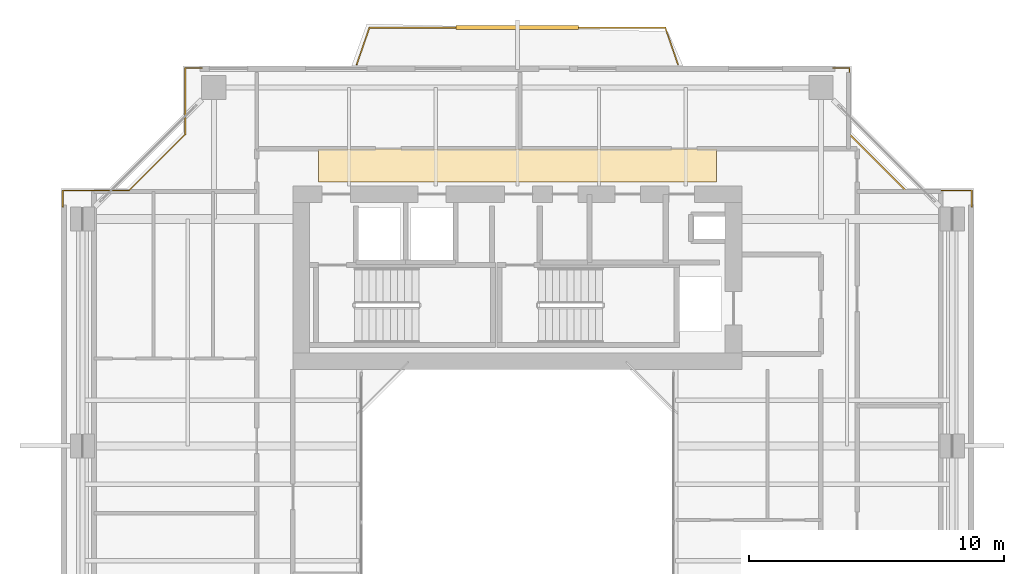
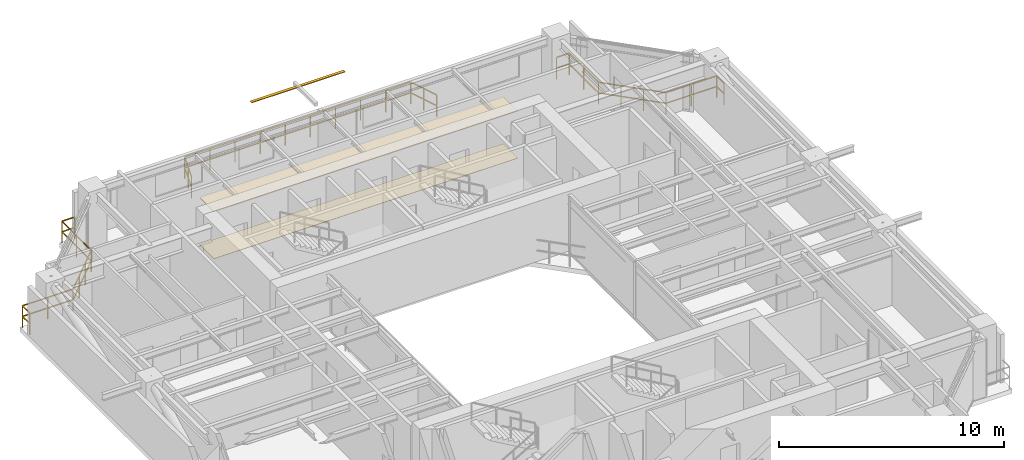
# One storey, part 14 of 14: 3 railings, 2 coverings, 1 shading device.
"""IFC4 building model written with IfcOpenShell, lengths in metres."""

from ifc_helpers import new_model, si_unit, direction, frame, origin, origin_2d, place, context, subcontext, project, spatial, polyline, rectangle, outline, extrude, source, transform, mapped, material, layer, layer_set, material_profile, profile_set, type_object, element, save


model = new_model("IFC4")

# Units and contexts
model_context = context("Model", 3, precision=1e-05, world=origin(), true_north=direction((0.0, 1.0)))
body_context = subcontext(model_context, "Body", "Model", "MODEL_VIEW")
ifc_project = project(units=[si_unit("LENGTHUNIT", "METRE"), si_unit("AREAUNIT", "SQUARE_METRE"), si_unit("VOLUMEUNIT", "CUBIC_METRE"), si_unit("PLANEANGLEUNIT", "RADIAN"), si_unit("MASSUNIT", "GRAM", prefix="KILO"), si_unit("THERMODYNAMICTEMPERATUREUNIT", "KELVIN"), si_unit("POWERUNIT", "WATT")], contexts=[model_context])

# Site, building, storey
site_placement = place(None, origin())
site = spatial("IfcSite", under=ifc_project, at=site_placement, CompositionType="ELEMENT")
building_placement = place(site_placement, origin())
building = spatial("IfcBuilding", under=site, at=building_placement, Name="Qiaomeng Ring Towers", CompositionType="ELEMENT")
storey_placement = place(building_placement, frame((0.0, 0.0, 176.25)))
storey = spatial("IfcBuildingStorey", under=building, at=storey_placement, Name="L51", CompositionType="ELEMENT", Elevation=176.25)

# Coverings
ifc_material_1 = material(Name="Moisture-resistant gypsum ceiling board", Category="gypsum")
ifc_layer_1 = layer(ifc_material_1, 0.030029296875, Name="Moisture-resistant gypsum ceiling board")
ifc_layer_set_1 = layer_set([ifc_layer_1], Name="Moisture-resistant gypsum ceiling board")
covering_type_1 = type_object("IfcCoveringType", Name="ARC-COV-CEIL2", PredefinedType="CEILING", material=ifc_layer_set_1)
covering_1_placement = place(storey_placement, frame((0.0, 0.0, 2.550048828125)))
element("IfcCovering", 1, at=covering_1_placement, inside=storey, type_object=covering_type_1, Name="L51 Corridor Acoustic Ceiling", PredefinedType="CEILING", context=body_context, shape_type="SweptSolid", body=[
    extrude(outline(polyline([(11.199951171875, 36.35009765625), (11.199951171875, 37.64990234375), (26.800048828125, 37.64990234375), (26.800048828125, 36.35009765625), (11.199951171875, 36.35009765625)])), origin(), (0.0, 0.0, 1.0), 0.02490234375),
])
ifc_material_2 = material(Name="Vitrified porcelain floor tile", Category="ceramic")
ifc_layer_2 = layer(ifc_material_2, 0.02001953125, Name="Vitrified porcelain floor tile")
ifc_layer_set_2 = layer_set([ifc_layer_2], Name="Vitrified porcelain floor tile")
covering_type_2 = type_object("IfcCoveringType", Name="ARC-COV-FLR1", PredefinedType="FLOORING", material=ifc_layer_set_2)
covering_2_placement = place(storey_placement, origin())
element("IfcCovering", 2, at=covering_2_placement, inside=storey, type_object=covering_type_2, Name="L51 Corridor Stone Flooring", PredefinedType="FLOORING", context=body_context, shape_type="SweptSolid", body=[
    extrude(outline(polyline([(11.199951171875, 36.35009765625), (11.199951171875, 37.64990234375), (26.800048828125, 37.64990234375), (26.800048828125, 36.35009765625), (11.199951171875, 36.35009765625)])), origin(), (0.0, 0.0, 1.0), 0.02001953125),
])

# Railings
ifc_material_3 = material(Name="Low-E pale-green laminated safety glass", Category="glass")
railing_type = type_object("IfcRailingType", Name="ARC-RL-BAL1", PredefinedType="BALUSTRADE", material=ifc_material_3)
railing_1_placement = place(storey_placement, frame((36.820068359375, 35.3701171875, 0.0)))
element("IfcRailing", 3, at=railing_1_placement, inside=storey, type_object=railing_type, Name="L51 Balustrade ARC-BAL-NOTCH1-L51-NE", PredefinedType="BALUSTRADE", context=body_context, shape_type="SweptSolid", body=[
    extrude(rectangle(XDim=0.048095703125, YDim=0.048095703125, at=origin_2d()), frame((0.0, 0.0, 1.17578125), z_axis=(0.0, 1.0, 0.0), x_axis=(-1.0, 0.0, 0.0)), (0.0, 0.0, 1.0), 0.64990234375),
    extrude(rectangle(XDim=0.048095703125, YDim=0.048095703125, at=origin_2d()), frame((0.0, 0.0, 0.60009765625), z_axis=(0.0, 1.0, 0.0), x_axis=(-1.0, 0.0, 0.0)), (0.0, 0.0, 1.0), 0.64990234375),
    extrude(rectangle(XDim=0.048095703125, YDim=0.048095703125, at=origin_2d()), frame((0.0, 0.64990234375, 1.17578125), z_axis=(-1.0, 0.0, 0.0), x_axis=(0.0, -1.0, 0.0)), (0.0, 0.0, 1.0), 2.60009765625),
    extrude(rectangle(XDim=0.048095703125, YDim=0.048095703125, at=origin_2d()), frame((0.0, 0.64990234375, 0.60009765625), z_axis=(-1.0, 0.0, 0.0), x_axis=(0.0, -1.0, 0.0)), (0.0, 0.0, 1.0), 2.60009765625),
    extrude(rectangle(XDim=0.048095703125, YDim=0.048095703125, at=origin_2d()), frame((-2.60009765625, 0.64990234375, 1.17578125), z_axis=(-0.707106781187, 0.707106781187, 0.0), x_axis=(-0.707106781187, -0.707106781187, 0.0)), (0.0, 0.0, 1.0), 3.111083984375),
    extrude(rectangle(XDim=0.048095703125, YDim=0.048095703125, at=origin_2d()), frame((-2.60009765625, 0.64990234375, 0.60009765625), z_axis=(-0.707106781187, 0.707106781187, 0.0), x_axis=(-0.707106781187, -0.707106781187, 0.0)), (0.0, 0.0, 1.0), 3.111083984375),
    extrude(rectangle(XDim=0.048095703125, YDim=0.048095703125, at=origin_2d()), frame((-4.800048828125, 2.849853515625, 1.17578125), z_axis=(0.0, 1.0, 0.0), x_axis=(-1.0, 0.0, 0.0)), (0.0, 0.0, 1.0), 2.60009765625),
    extrude(rectangle(XDim=0.048095703125, YDim=0.048095703125, at=origin_2d()), frame((-4.800048828125, 2.849853515625, 0.60009765625), z_axis=(0.0, 1.0, 0.0), x_axis=(-1.0, 0.0, 0.0)), (0.0, 0.0, 1.0), 2.60009765625),
    extrude(rectangle(XDim=0.048095703125, YDim=0.048095703125, at=origin_2d()), frame((-4.800048828125, 5.449951171875, 1.17578125), z_axis=(-1.0, 0.0, 0.0), x_axis=(0.0, -1.0, 0.0)), (0.0, 0.0, 1.0), 0.64990234375),
    extrude(rectangle(XDim=0.048095703125, YDim=0.048095703125, at=origin_2d()), frame((-4.800048828125, 5.449951171875, 0.60009765625), z_axis=(-1.0, 0.0, 0.0), x_axis=(0.0, -1.0, 0.0)), (0.0, 0.0, 1.0), 0.64990234375),
    extrude(rectangle(XDim=0.0419921875, YDim=0.0419921875, at=origin_2d()), origin(), (0.0, 0.0, 1.0), 1.15185546875),
    extrude(rectangle(XDim=0.0419921875, YDim=0.0419921875, at=origin_2d()), frame((0.0, 0.64990234375, 0.0)), (0.0, 0.0, 1.0), 1.15185546875),
    extrude(rectangle(XDim=0.0419921875, YDim=0.0419921875, at=origin_2d()), frame((-1.300048828125, 0.64990234375, 0.0)), (0.0, 0.0, 1.0), 1.15185546875),
    extrude(rectangle(XDim=0.0419921875, YDim=0.0419921875, at=origin_2d()), frame((-2.60009765625, 0.64990234375, 0.0)), (0.0, 0.0, 1.0), 1.15185546875),
    extrude(rectangle(XDim=0.0419921875, YDim=0.0419921875, at=origin_2d()), frame((-3.33349609375, 1.38330078125, 0.0)), (0.0, 0.0, 1.0), 1.15185546875),
    extrude(rectangle(XDim=0.0419921875, YDim=0.0419921875, at=origin_2d()), frame((-4.066650390625, 2.116455078125, 0.0)), (0.0, 0.0, 1.0), 1.15185546875),
    extrude(rectangle(XDim=0.0419921875, YDim=0.0419921875, at=origin_2d()), frame((-4.800048828125, 2.849853515625, 0.0)), (0.0, 0.0, 1.0), 1.15185546875),
    extrude(rectangle(XDim=0.0419921875, YDim=0.0419921875, at=origin_2d()), frame((-4.800048828125, 4.14990234375, 0.0)), (0.0, 0.0, 1.0), 1.15185546875),
    extrude(rectangle(XDim=0.0419921875, YDim=0.0419921875, at=origin_2d()), frame((-4.800048828125, 5.449951171875, 0.0)), (0.0, 0.0, 1.0), 1.15185546875),
    extrude(rectangle(XDim=0.0419921875, YDim=0.0419921875, at=origin_2d()), frame((-5.449951171875, 5.449951171875, 0.0)), (0.0, 0.0, 1.0), 1.15185546875),
])
railing_2_placement = place(storey_placement, frame((6.6298828125, 40.820068359375, 0.0)))
element("IfcRailing", 4, at=railing_2_placement, inside=storey, type_object=railing_type, Name="L51 Balustrade ARC-BAL-NOTCH1-L51-NW", PredefinedType="BALUSTRADE", context=body_context, shape_type="SweptSolid", body=[
    extrude(rectangle(XDim=0.048095703125, YDim=0.048095703125, at=origin_2d()), frame((0.0, 0.0, 1.17578125), z_axis=(-1.0, 0.0, 0.0), x_axis=(0.0, -1.0, 0.0)), (0.0, 0.0, 1.0), 0.64990234375),
    extrude(rectangle(XDim=0.048095703125, YDim=0.048095703125, at=origin_2d()), frame((0.0, 0.0, 0.60009765625), z_axis=(-1.0, 0.0, 0.0), x_axis=(0.0, -1.0, 0.0)), (0.0, 0.0, 1.0), 0.64990234375),
    extrude(rectangle(XDim=0.048095703125, YDim=0.048095703125, at=origin_2d()), frame((-0.64990234375, 0.0, 1.17578125), z_axis=(0.0, -1.0, 0.0), x_axis=(1.0, 0.0, 0.0)), (0.0, 0.0, 1.0), 2.60009765625),
    extrude(rectangle(XDim=0.048095703125, YDim=0.048095703125, at=origin_2d()), frame((-0.64990234375, 0.0, 0.60009765625), z_axis=(0.0, -1.0, 0.0), x_axis=(1.0, 0.0, 0.0)), (0.0, 0.0, 1.0), 2.60009765625),
    extrude(rectangle(XDim=0.048095703125, YDim=0.048095703125, at=origin_2d()), frame((-0.64990234375, -2.60009765625, 1.17578125), z_axis=(-0.707106781187, -0.707106781187, 0.0), x_axis=(0.707106781187, -0.707106781187, 0.0)), (0.0, 0.0, 1.0), 3.111083984375),
    extrude(rectangle(XDim=0.048095703125, YDim=0.048095703125, at=origin_2d()), frame((-0.64990234375, -2.60009765625, 0.60009765625), z_axis=(-0.707106781187, -0.707106781187, 0.0), x_axis=(0.707106781187, -0.707106781187, 0.0)), (0.0, 0.0, 1.0), 3.111083984375),
    extrude(rectangle(XDim=0.048095703125, YDim=0.048095703125, at=origin_2d()), frame((-2.849853515625, -4.800048828125, 1.17578125), z_axis=(-1.0, 0.0, 0.0), x_axis=(0.0, -1.0, 0.0)), (0.0, 0.0, 1.0), 2.60009765625),
    extrude(rectangle(XDim=0.048095703125, YDim=0.048095703125, at=origin_2d()), frame((-2.849853515625, -4.800048828125, 0.60009765625), z_axis=(-1.0, 0.0, 0.0), x_axis=(0.0, -1.0, 0.0)), (0.0, 0.0, 1.0), 2.60009765625),
    extrude(rectangle(XDim=0.048095703125, YDim=0.048095703125, at=origin_2d()), frame((-5.449951171875, -4.800048828125, 1.17578125), z_axis=(0.0, -1.0, 0.0), x_axis=(1.0, 0.0, 0.0)), (0.0, 0.0, 1.0), 0.64990234375),
    extrude(rectangle(XDim=0.048095703125, YDim=0.048095703125, at=origin_2d()), frame((-5.449951171875, -4.800048828125, 0.60009765625), z_axis=(0.0, -1.0, 0.0), x_axis=(1.0, 0.0, 0.0)), (0.0, 0.0, 1.0), 0.64990234375),
    extrude(rectangle(XDim=0.0419921875, YDim=0.0419921875, at=origin_2d()), origin(), (0.0, 0.0, 1.0), 1.15185546875),
    extrude(rectangle(XDim=0.0419921875, YDim=0.0419921875, at=origin_2d()), frame((-0.64990234375, 0.0, 0.0)), (0.0, 0.0, 1.0), 1.15185546875),
    extrude(rectangle(XDim=0.0419921875, YDim=0.0419921875, at=origin_2d()), frame((-0.64990234375, -1.300048828125, 0.0)), (0.0, 0.0, 1.0), 1.15185546875),
    extrude(rectangle(XDim=0.0419921875, YDim=0.0419921875, at=origin_2d()), frame((-0.64990234375, -2.60009765625, 0.0)), (0.0, 0.0, 1.0), 1.15185546875),
    extrude(rectangle(XDim=0.0419921875, YDim=0.0419921875, at=origin_2d()), frame((-1.38330078125, -3.33349609375, 0.0)), (0.0, 0.0, 1.0), 1.15185546875),
    extrude(rectangle(XDim=0.0419921875, YDim=0.0419921875, at=origin_2d()), frame((-2.116455078125, -4.066650390625, 0.0)), (0.0, 0.0, 1.0), 1.15185546875),
    extrude(rectangle(XDim=0.0419921875, YDim=0.0419921875, at=origin_2d()), frame((-2.849853515625, -4.800048828125, 0.0)), (0.0, 0.0, 1.0), 1.15185546875),
    extrude(rectangle(XDim=0.0419921875, YDim=0.0419921875, at=origin_2d()), frame((-4.14990234375, -4.800048828125, 0.0)), (0.0, 0.0, 1.0), 1.15185546875),
    extrude(rectangle(XDim=0.0419921875, YDim=0.0419921875, at=origin_2d()), frame((-5.449951171875, -4.800048828125, 0.0)), (0.0, 0.0, 1.0), 1.15185546875),
    extrude(rectangle(XDim=0.0419921875, YDim=0.0419921875, at=origin_2d()), frame((-5.449951171875, -5.449951171875, 0.0)), (0.0, 0.0, 1.0), 1.15185546875),
])
railing_3_placement = place(storey_placement, frame((12.699951171875, 40.949951171875, 0.0)))
element("IfcRailing", 5, at=railing_3_placement, inside=storey, type_object=railing_type, Name="L51 Balustrade ARC-BAL-L51-T1-N", PredefinedType="BALUSTRADE", context=body_context, shape_type="SweptSolid", body=[
    extrude(rectangle(XDim=0.048095703125, YDim=0.048095703125, at=origin_2d()), frame((0.0, 0.0, 1.17578125), z_axis=(0.326000494605, 0.945369598368, 0.0), x_axis=(-0.945369598368, 0.326000494605, 0.0)), (0.0, 0.0, 1.0), 1.53369140625),
    extrude(rectangle(XDim=0.048095703125, YDim=0.048095703125, at=origin_2d()), frame((0.0, 0.0, 0.60009765625), z_axis=(0.326000494605, 0.945369598368, 0.0), x_axis=(-0.945369598368, 0.326000494605, 0.0)), (0.0, 0.0, 1.0), 1.53369140625),
    extrude(rectangle(XDim=0.048095703125, YDim=0.048095703125, at=origin_2d()), frame((0.5, 1.449951171875, 1.17578125), z_axis=(1.0, 0.0, 0.0), x_axis=(0.0, 1.0, 0.0)), (0.0, 0.0, 1.0), 11.60009765625),
    extrude(rectangle(XDim=0.048095703125, YDim=0.048095703125, at=origin_2d()), frame((0.5, 1.449951171875, 0.60009765625), z_axis=(1.0, 0.0, 0.0), x_axis=(0.0, 1.0, 0.0)), (0.0, 0.0, 1.0), 11.60009765625),
    extrude(rectangle(XDim=0.048095703125, YDim=0.048095703125, at=origin_2d()), frame((12.10009765625, 1.449951171875, 1.17578125), z_axis=(0.326000494605, -0.945369598368, 0.0), x_axis=(0.945369598368, 0.326000494605, 0.0)), (0.0, 0.0, 1.0), 1.53369140625),
    extrude(rectangle(XDim=0.048095703125, YDim=0.048095703125, at=origin_2d()), frame((12.10009765625, 1.449951171875, 0.60009765625), z_axis=(0.326000494605, -0.945369598368, 0.0), x_axis=(0.945369598368, 0.326000494605, 0.0)), (0.0, 0.0, 1.0), 1.53369140625),
    extrude(rectangle(XDim=0.0419921875, YDim=0.0419921875, at=origin_2d()), origin(), (0.0, 0.0, 1.0), 1.15185546875),
    extrude(rectangle(XDim=0.0419921875, YDim=0.0419921875, at=origin_2d()), frame((0.25, 0.72509765625, 0.0)), (0.0, 0.0, 1.0), 1.15185546875),
    extrude(rectangle(XDim=0.0419921875, YDim=0.0419921875, at=origin_2d()), frame((0.5, 1.449951171875, 0.0)), (0.0, 0.0, 1.0), 1.15185546875),
    extrude(rectangle(XDim=0.0419921875, YDim=0.0419921875, at=origin_2d()), frame((1.788818359375, 1.449951171875, 0.0)), (0.0, 0.0, 1.0), 1.15185546875),
    extrude(rectangle(XDim=0.0419921875, YDim=0.0419921875, at=origin_2d()), frame((3.077880859375, 1.449951171875, 0.0)), (0.0, 0.0, 1.0), 1.15185546875),
    extrude(rectangle(XDim=0.0419921875, YDim=0.0419921875, at=origin_2d()), frame((4.36669921875, 1.449951171875, 0.0)), (0.0, 0.0, 1.0), 1.15185546875),
    extrude(rectangle(XDim=0.0419921875, YDim=0.0419921875, at=origin_2d()), frame((5.655517578125, 1.449951171875, 0.0)), (0.0, 0.0, 1.0), 1.15185546875),
    extrude(rectangle(XDim=0.0419921875, YDim=0.0419921875, at=origin_2d()), frame((6.944580078125, 1.449951171875, 0.0)), (0.0, 0.0, 1.0), 1.15185546875),
    extrude(rectangle(XDim=0.0419921875, YDim=0.0419921875, at=origin_2d()), frame((8.2333984375, 1.449951171875, 0.0)), (0.0, 0.0, 1.0), 1.15185546875),
    extrude(rectangle(XDim=0.0419921875, YDim=0.0419921875, at=origin_2d()), frame((9.522216796875, 1.449951171875, 0.0)), (0.0, 0.0, 1.0), 1.15185546875),
    extrude(rectangle(XDim=0.0419921875, YDim=0.0419921875, at=origin_2d()), frame((10.811279296875, 1.449951171875, 0.0)), (0.0, 0.0, 1.0), 1.15185546875),
    extrude(rectangle(XDim=0.0419921875, YDim=0.0419921875, at=origin_2d()), frame((12.10009765625, 1.449951171875, 0.0)), (0.0, 0.0, 1.0), 1.15185546875),
    extrude(rectangle(XDim=0.0419921875, YDim=0.0419921875, at=origin_2d()), frame((12.35009765625, 0.72509765625, 0.0)), (0.0, 0.0, 1.0), 1.15185546875),
    extrude(rectangle(XDim=0.0419921875, YDim=0.0419921875, at=origin_2d()), frame((12.60009765625, 0.0, 0.0)), (0.0, 0.0, 1.0), 1.15185546875),
])

# Shading device
ifc_material_4 = material(Name="Fluorocarbon dark-grey aluminium", Category="aluminium")
ifc_material_profile = material_profile(ifc_material_4, rectangle(XDim=0.14990234375, YDim=0.034912109375, at=origin_2d()), Name="LV BLADE 150x35")
ifc_profile_set = profile_set([ifc_material_profile], Name="Fluorocarbon dark-grey aluminium")
shading_device_type = type_object("IfcShadingDeviceType", Name="ARC-SHD-SUN", PredefinedType="AWNING", material=ifc_profile_set)
shared_shape = source(origin(), body_context, "Body", "SweptSolid", [
    extrude(rectangle(XDim=0.14990234375, YDim=0.034912109375, at=origin_2d()), origin(), (0.0, 0.0, 1.0), 4.7998046875),
])
shading_device_placement = place(storey_placement, frame((16.60009765625, 42.39990234375, 2.969970703125), z_axis=(1.0, 0.0, 0.0), x_axis=(0.0, 1.0, 0.0)))
element("IfcShadingDevice", 6, at=shading_device_placement, inside=storey, type_object=shading_device_type, Name="L51 Ventilated Outer-Skin Sunshade N", PredefinedType="AWNING", context=body_context, shape_type="MappedRepresentation", body=[
    mapped(shared_shape, transform((0.0, 0.0, 0.0), x_axis=(1.0, 0.0, 0.0), y_axis=(0.0, 1.0, 0.0), z_axis=(0.0, 0.0, 1.0), scale=1.0)),
])

save(model, "model.ifc")
